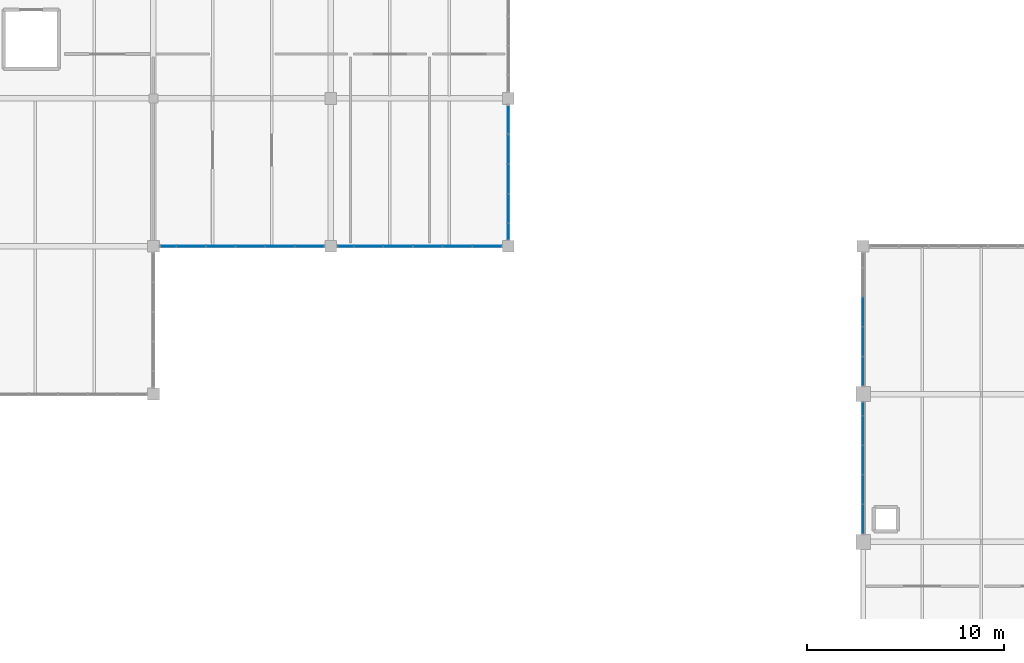
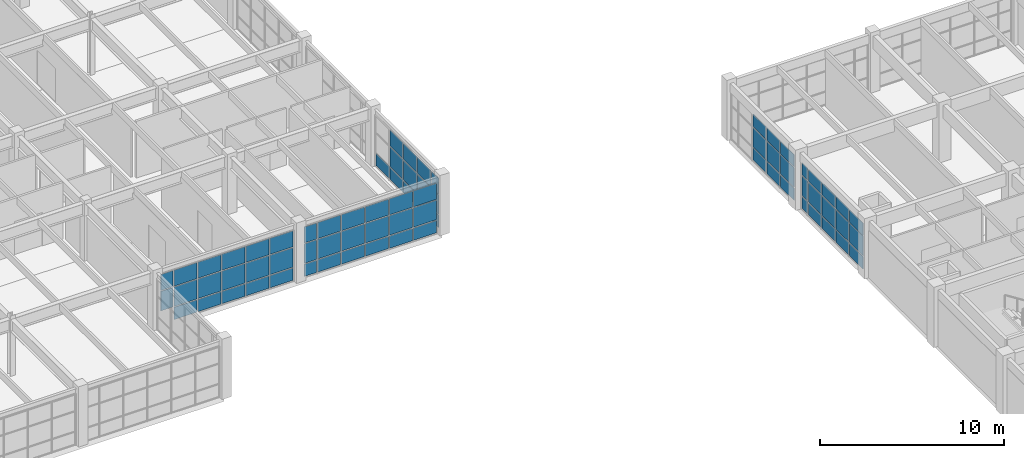
# One storey, part 52 of 76: 72 plates, 5 elements without a shape of their own.
"""IFC4 building model written with IfcOpenShell, lengths in metres."""

from ifc_helpers import new_model, si_unit, direction, frame, origin, origin_2d, place, context, subcontext, project, spatial, rectangle, extrude, material, layer, layer_set, type_object, element, aggregate, save


model = new_model("IFC4")

# Units and contexts
model_context = context("Model", 3, precision=1e-05, world=origin(), true_north=direction((0.0, 1.0)))
body_context = subcontext(model_context, "Body", "Model", "MODEL_VIEW")
ifc_project = project(units=[si_unit("LENGTHUNIT", "METRE"), si_unit("AREAUNIT", "SQUARE_METRE"), si_unit("VOLUMEUNIT", "CUBIC_METRE"), si_unit("PLANEANGLEUNIT", "RADIAN"), si_unit("MASSUNIT", "GRAM", prefix="KILO")], contexts=[model_context])

# Site, building, storey
site_placement = place(None, origin())
site = spatial("IfcSite", under=ifc_project, at=site_placement, CompositionType="ELEMENT")
building_placement = place(site_placement, origin())
building = spatial("IfcBuilding", under=site, at=building_placement, Name="Marnridge Secondary College", CompositionType="ELEMENT")
storey_placement = place(building_placement, frame((0.0, 0.0, 4.5)))
storey = spatial("IfcBuildingStorey", under=building, at=storey_placement, Name="L01", CompositionType="ELEMENT", Elevation=4.5)

# Curtain wall, plates
ifc_material_1 = material(Name="Thermally broken aluminium and low-E glazing", Category="aluminium")
ifc_layer_1 = layer(ifc_material_1, 0.159912109375)
ifc_layer_set_1 = layer_set([ifc_layer_1], Name="CW-MOD-1500")
curtain_wall_type = type_object("IfcCurtainWallType", Name="CW-MOD-1500", PredefinedType="NOTDEFINED", material=ifc_layer_set_1)
curtain_wall_1_placement = place(storey_placement, origin())
curtain_wall_1 = element("IfcCurtainWall", 1, at=curtain_wall_1_placement, inside=storey, type_object=curtain_wall_type, Name="Unitised curtain wall CW-L01-040", PredefinedType="NOTDEFINED")
ifc_material_2 = material(Name="Double-glazed low-E argon unit", Category="glass")
ifc_layer_2 = layer(ifc_material_2, 0.028076171875)
ifc_layer_set_2 = layer_set([ifc_layer_2], Name="CWP-GLZ28")
plate_type = type_object("IfcPlateType", Name="CWP-GLZ28", PredefinedType="CURTAIN_PANEL", material=ifc_layer_set_2)
plate_1_placement = place(storey_placement, frame((54.0, 68.658935546875, 0.06005859375), z_axis=(0.0, 0.0, 1.0), x_axis=(0.0, 1.0, 0.0)))
plate_1 = element("IfcPlate", 2, at=plate_1_placement, type_object=plate_type, Name="CW-L01-040 panel 1.1", PredefinedType="CURTAIN_PANEL", context=body_context, shape_type="SweptSolid", body=[
    extrude(rectangle(XDim=1.43994140625, YDim=0.028076171875, at=origin_2d()), origin(), (0.0, 0.0, 1.0), 0.81005859375),
])
plate_2_placement = place(storey_placement, frame((54.0, 68.658935546875, 0.929931640625), z_axis=(0.0, 0.0, 1.0), x_axis=(0.0, 1.0, 0.0)))
plate_2 = element("IfcPlate", 3, at=plate_2_placement, type_object=plate_type, Name="CW-L01-040 panel 1.2", PredefinedType="CURTAIN_PANEL", context=body_context, shape_type="SweptSolid", body=[
    extrude(rectangle(XDim=1.43994140625, YDim=0.028076171875, at=origin_2d()), origin(), (0.0, 0.0, 1.0), 1.2900390625),
])
plate_3_placement = place(storey_placement, frame((54.0, 68.658935546875, 2.2802734375), z_axis=(0.0, 0.0, 1.0), x_axis=(0.0, 1.0, 0.0)))
plate_3 = element("IfcPlate", 4, at=plate_3_placement, type_object=plate_type, Name="CW-L01-040 panel 1.3", PredefinedType="CURTAIN_PANEL", context=body_context, shape_type="SweptSolid", body=[
    extrude(rectangle(XDim=1.43994140625, YDim=0.028076171875, at=origin_2d()), origin(), (0.0, 0.0, 1.0), 0.806884765625),
])
plate_4_placement = place(storey_placement, frame((54.0, 70.158935546875, 0.06005859375), z_axis=(0.0, 0.0, 1.0), x_axis=(0.0, 1.0, 0.0)))
plate_4 = element("IfcPlate", 5, at=plate_4_placement, type_object=plate_type, Name="CW-L01-040 panel 2.1", PredefinedType="CURTAIN_PANEL", context=body_context, shape_type="SweptSolid", body=[
    extrude(rectangle(XDim=1.43994140625, YDim=0.028076171875, at=origin_2d()), origin(), (0.0, 0.0, 1.0), 0.81005859375),
])
plate_5_placement = place(storey_placement, frame((54.0, 70.158935546875, 0.929931640625), z_axis=(0.0, 0.0, 1.0), x_axis=(0.0, 1.0, 0.0)))
plate_5 = element("IfcPlate", 6, at=plate_5_placement, type_object=plate_type, Name="CW-L01-040 panel 2.2", PredefinedType="CURTAIN_PANEL", context=body_context, shape_type="SweptSolid", body=[
    extrude(rectangle(XDim=1.43994140625, YDim=0.028076171875, at=origin_2d()), origin(), (0.0, 0.0, 1.0), 1.2900390625),
])
plate_6_placement = place(storey_placement, frame((54.0, 70.158935546875, 2.2802734375), z_axis=(0.0, 0.0, 1.0), x_axis=(0.0, 1.0, 0.0)))
plate_6 = element("IfcPlate", 7, at=plate_6_placement, type_object=plate_type, Name="CW-L01-040 panel 2.3", PredefinedType="CURTAIN_PANEL", context=body_context, shape_type="SweptSolid", body=[
    extrude(rectangle(XDim=1.43994140625, YDim=0.028076171875, at=origin_2d()), origin(), (0.0, 0.0, 1.0), 0.806884765625),
])
plate_7_placement = place(storey_placement, frame((54.0, 71.658935546875, 0.06005859375), z_axis=(0.0, 0.0, 1.0), x_axis=(0.0, 1.0, 0.0)))
plate_7 = element("IfcPlate", 8, at=plate_7_placement, type_object=plate_type, Name="CW-L01-040 panel 3.1", PredefinedType="CURTAIN_PANEL", context=body_context, shape_type="SweptSolid", body=[
    extrude(rectangle(XDim=1.43994140625, YDim=0.028076171875, at=origin_2d()), origin(), (0.0, 0.0, 1.0), 0.81005859375),
])
plate_8_placement = place(storey_placement, frame((54.0, 71.658935546875, 0.929931640625), z_axis=(0.0, 0.0, 1.0), x_axis=(0.0, 1.0, 0.0)))
plate_8 = element("IfcPlate", 9, at=plate_8_placement, type_object=plate_type, Name="CW-L01-040 panel 3.2", PredefinedType="CURTAIN_PANEL", context=body_context, shape_type="SweptSolid", body=[
    extrude(rectangle(XDim=1.43994140625, YDim=0.028076171875, at=origin_2d()), origin(), (0.0, 0.0, 1.0), 1.2900390625),
])
plate_9_placement = place(storey_placement, frame((54.0, 71.658935546875, 2.2802734375), z_axis=(0.0, 0.0, 1.0), x_axis=(0.0, 1.0, 0.0)))
plate_9 = element("IfcPlate", 10, at=plate_9_placement, type_object=plate_type, Name="CW-L01-040 panel 3.3", PredefinedType="CURTAIN_PANEL", context=body_context, shape_type="SweptSolid", body=[
    extrude(rectangle(XDim=1.43994140625, YDim=0.028076171875, at=origin_2d()), origin(), (0.0, 0.0, 1.0), 0.806884765625),
])
plate_10_placement = place(storey_placement, frame((54.0, 73.158935546875, 0.06005859375), z_axis=(0.0, 0.0, 1.0), x_axis=(0.0, 1.0, 0.0)))
plate_10 = element("IfcPlate", 11, at=plate_10_placement, type_object=plate_type, Name="CW-L01-040 panel 4.1", PredefinedType="CURTAIN_PANEL", context=body_context, shape_type="SweptSolid", body=[
    extrude(rectangle(XDim=1.43994140625, YDim=0.028076171875, at=origin_2d()), origin(), (0.0, 0.0, 1.0), 0.81005859375),
])
plate_11_placement = place(storey_placement, frame((54.0, 73.158935546875, 0.929931640625), z_axis=(0.0, 0.0, 1.0), x_axis=(0.0, 1.0, 0.0)))
plate_11 = element("IfcPlate", 12, at=plate_11_placement, type_object=plate_type, Name="CW-L01-040 panel 4.2", PredefinedType="CURTAIN_PANEL", context=body_context, shape_type="SweptSolid", body=[
    extrude(rectangle(XDim=1.43994140625, YDim=0.028076171875, at=origin_2d()), origin(), (0.0, 0.0, 1.0), 1.2900390625),
])
plate_12_placement = place(storey_placement, frame((54.0, 73.158935546875, 2.2802734375), z_axis=(0.0, 0.0, 1.0), x_axis=(0.0, 1.0, 0.0)))
plate_12 = element("IfcPlate", 13, at=plate_12_placement, type_object=plate_type, Name="CW-L01-040 panel 4.3", PredefinedType="CURTAIN_PANEL", context=body_context, shape_type="SweptSolid", body=[
    extrude(rectangle(XDim=1.43994140625, YDim=0.028076171875, at=origin_2d()), origin(), (0.0, 0.0, 1.0), 0.806884765625),
])
plate_13_placement = place(storey_placement, frame((54.0, 74.25, 0.06005859375), z_axis=(0.0, 0.0, 1.0), x_axis=(0.0, 1.0, 0.0)))
plate_13 = element("IfcPlate", 14, at=plate_13_placement, type_object=plate_type, Name="CW-L01-040 panel 5.1", PredefinedType="CURTAIN_PANEL", context=body_context, shape_type="SweptSolid", body=[
    extrude(rectangle(XDim=0.6220703125, YDim=0.028076171875, at=origin_2d()), origin(), (0.0, 0.0, 1.0), 0.81005859375),
])
plate_14_placement = place(storey_placement, frame((54.0, 74.25, 0.929931640625), z_axis=(0.0, 0.0, 1.0), x_axis=(0.0, 1.0, 0.0)))
plate_14 = element("IfcPlate", 15, at=plate_14_placement, type_object=plate_type, Name="CW-L01-040 panel 5.2", PredefinedType="CURTAIN_PANEL", context=body_context, shape_type="SweptSolid", body=[
    extrude(rectangle(XDim=0.6220703125, YDim=0.028076171875, at=origin_2d()), origin(), (0.0, 0.0, 1.0), 1.2900390625),
])
plate_15_placement = place(storey_placement, frame((54.0, 74.25, 2.2802734375), z_axis=(0.0, 0.0, 1.0), x_axis=(0.0, 1.0, 0.0)))
plate_15 = element("IfcPlate", 16, at=plate_15_placement, type_object=plate_type, Name="CW-L01-040 panel 5.3", PredefinedType="CURTAIN_PANEL", context=body_context, shape_type="SweptSolid", body=[
    extrude(rectangle(XDim=0.6220703125, YDim=0.028076171875, at=origin_2d()), origin(), (0.0, 0.0, 1.0), 0.806884765625),
])
aggregate(curtain_wall_1, [plate_1, plate_2, plate_3, plate_4, plate_5, plate_6, plate_7, plate_8, plate_9, plate_10, plate_11, plate_12, plate_13, plate_14, plate_15])

curtain_wall_2_placement = place(storey_placement, origin())
curtain_wall_2 = element("IfcCurtainWall", 17, at=curtain_wall_2_placement, inside=storey, type_object=curtain_wall_type, Name="Unitised curtain wall CW-L01-041", PredefinedType="NOTDEFINED")
plate_16_placement = place(storey_placement, frame((54.0, 76.158935546875, 0.06005859375), z_axis=(0.0, 0.0, 1.0), x_axis=(0.0, 1.0, 0.0)))
plate_16 = element("IfcPlate", 18, at=plate_16_placement, type_object=plate_type, Name="CW-L01-041 panel 1.1", PredefinedType="CURTAIN_PANEL", context=body_context, shape_type="SweptSolid", body=[
    extrude(rectangle(XDim=1.43994140625, YDim=0.028076171875, at=origin_2d()), origin(), (0.0, 0.0, 1.0), 0.81005859375),
])
plate_17_placement = place(storey_placement, frame((54.0, 76.158935546875, 0.929931640625), z_axis=(0.0, 0.0, 1.0), x_axis=(0.0, 1.0, 0.0)))
plate_17 = element("IfcPlate", 19, at=plate_17_placement, type_object=plate_type, Name="CW-L01-041 panel 1.2", PredefinedType="CURTAIN_PANEL", context=body_context, shape_type="SweptSolid", body=[
    extrude(rectangle(XDim=1.43994140625, YDim=0.028076171875, at=origin_2d()), origin(), (0.0, 0.0, 1.0), 1.2900390625),
])
plate_18_placement = place(storey_placement, frame((54.0, 76.158935546875, 2.2802734375), z_axis=(0.0, 0.0, 1.0), x_axis=(0.0, 1.0, 0.0)))
plate_18 = element("IfcPlate", 20, at=plate_18_placement, type_object=plate_type, Name="CW-L01-041 panel 1.3", PredefinedType="CURTAIN_PANEL", context=body_context, shape_type="SweptSolid", body=[
    extrude(rectangle(XDim=1.43994140625, YDim=0.028076171875, at=origin_2d()), origin(), (0.0, 0.0, 1.0), 0.806884765625),
])
plate_19_placement = place(storey_placement, frame((54.0, 77.658935546875, 0.06005859375), z_axis=(0.0, 0.0, 1.0), x_axis=(0.0, 1.0, 0.0)))
plate_19 = element("IfcPlate", 21, at=plate_19_placement, type_object=plate_type, Name="CW-L01-041 panel 2.1", PredefinedType="CURTAIN_PANEL", context=body_context, shape_type="SweptSolid", body=[
    extrude(rectangle(XDim=1.43994140625, YDim=0.028076171875, at=origin_2d()), origin(), (0.0, 0.0, 1.0), 0.81005859375),
])
plate_20_placement = place(storey_placement, frame((54.0, 77.658935546875, 0.929931640625), z_axis=(0.0, 0.0, 1.0), x_axis=(0.0, 1.0, 0.0)))
plate_20 = element("IfcPlate", 22, at=plate_20_placement, type_object=plate_type, Name="CW-L01-041 panel 2.2", PredefinedType="CURTAIN_PANEL", context=body_context, shape_type="SweptSolid", body=[
    extrude(rectangle(XDim=1.43994140625, YDim=0.028076171875, at=origin_2d()), origin(), (0.0, 0.0, 1.0), 1.2900390625),
])
plate_21_placement = place(storey_placement, frame((54.0, 77.658935546875, 2.2802734375), z_axis=(0.0, 0.0, 1.0), x_axis=(0.0, 1.0, 0.0)))
plate_21 = element("IfcPlate", 23, at=plate_21_placement, type_object=plate_type, Name="CW-L01-041 panel 2.3", PredefinedType="CURTAIN_PANEL", context=body_context, shape_type="SweptSolid", body=[
    extrude(rectangle(XDim=1.43994140625, YDim=0.028076171875, at=origin_2d()), origin(), (0.0, 0.0, 1.0), 0.806884765625),
])
plate_22_placement = place(storey_placement, frame((54.0, 79.158935546875, 0.06005859375), z_axis=(0.0, 0.0, 1.0), x_axis=(0.0, 1.0, 0.0)))
plate_22 = element("IfcPlate", 24, at=plate_22_placement, type_object=plate_type, Name="CW-L01-041 panel 3.1", PredefinedType="CURTAIN_PANEL", context=body_context, shape_type="SweptSolid", body=[
    extrude(rectangle(XDim=1.43994140625, YDim=0.028076171875, at=origin_2d()), origin(), (0.0, 0.0, 1.0), 0.81005859375),
])
plate_23_placement = place(storey_placement, frame((54.0, 79.158935546875, 0.929931640625), z_axis=(0.0, 0.0, 1.0), x_axis=(0.0, 1.0, 0.0)))
plate_23 = element("IfcPlate", 25, at=plate_23_placement, type_object=plate_type, Name="CW-L01-041 panel 3.2", PredefinedType="CURTAIN_PANEL", context=body_context, shape_type="SweptSolid", body=[
    extrude(rectangle(XDim=1.43994140625, YDim=0.028076171875, at=origin_2d()), origin(), (0.0, 0.0, 1.0), 1.2900390625),
])
plate_24_placement = place(storey_placement, frame((54.0, 79.158935546875, 2.2802734375), z_axis=(0.0, 0.0, 1.0), x_axis=(0.0, 1.0, 0.0)))
plate_24 = element("IfcPlate", 26, at=plate_24_placement, type_object=plate_type, Name="CW-L01-041 panel 3.3", PredefinedType="CURTAIN_PANEL", context=body_context, shape_type="SweptSolid", body=[
    extrude(rectangle(XDim=1.43994140625, YDim=0.028076171875, at=origin_2d()), origin(), (0.0, 0.0, 1.0), 0.806884765625),
])
aggregate(curtain_wall_2, [plate_16, plate_17, plate_18, plate_19, plate_20, plate_21, plate_22, plate_23, plate_24])

curtain_wall_3_placement = place(storey_placement, origin())
curtain_wall_3 = element("IfcCurtainWall", 27, at=curtain_wall_3_placement, inside=storey, type_object=curtain_wall_type, Name="Unitised curtain wall CW-L01-050", PredefinedType="NOTDEFINED")
plate_25_placement = place(storey_placement, frame((36.0, 88.916015625, 0.06005859375), z_axis=(0.0, 0.0, 1.0), x_axis=(0.0, -1.0, 0.0)))
plate_25 = element("IfcPlate", 28, at=plate_25_placement, type_object=plate_type, Name="CW-L01-050 panel 1.1", PredefinedType="CURTAIN_PANEL", context=body_context, shape_type="SweptSolid", body=[
    extrude(rectangle(XDim=1.43994140625, YDim=0.028076171875, at=origin_2d()), origin(), (0.0, 0.0, 1.0), 0.81005859375),
])
plate_26_placement = place(storey_placement, frame((36.0, 87.416015625, 0.06005859375), z_axis=(0.0, 0.0, 1.0), x_axis=(0.0, -1.0, 0.0)))
plate_26 = element("IfcPlate", 29, at=plate_26_placement, type_object=plate_type, Name="CW-L01-050 panel 2.1", PredefinedType="CURTAIN_PANEL", context=body_context, shape_type="SweptSolid", body=[
    extrude(rectangle(XDim=1.43994140625, YDim=0.028076171875, at=origin_2d()), origin(), (0.0, 0.0, 1.0), 0.81005859375),
])
plate_27_placement = place(storey_placement, frame((36.0, 87.416015625, 0.929931640625), z_axis=(0.0, 0.0, 1.0), x_axis=(0.0, -1.0, 0.0)))
plate_27 = element("IfcPlate", 30, at=plate_27_placement, type_object=plate_type, Name="CW-L01-050 panel 2.2", PredefinedType="CURTAIN_PANEL", context=body_context, shape_type="SweptSolid", body=[
    extrude(rectangle(XDim=1.43994140625, YDim=0.028076171875, at=origin_2d()), origin(), (0.0, 0.0, 1.0), 1.2900390625),
])
plate_28_placement = place(storey_placement, frame((36.0, 87.416015625, 2.280029296875), z_axis=(0.0, 0.0, 1.0), x_axis=(0.0, -1.0, 0.0)))
plate_28 = element("IfcPlate", 31, at=plate_28_placement, type_object=plate_type, Name="CW-L01-050 panel 2.3", PredefinedType="CURTAIN_PANEL", context=body_context, shape_type="SweptSolid", body=[
    extrude(rectangle(XDim=1.43994140625, YDim=0.028076171875, at=origin_2d()), origin(), (0.0, 0.0, 1.0), 1.06005859375),
])
plate_29_placement = place(storey_placement, frame((36.0, 85.916015625, 0.06005859375), z_axis=(0.0, 0.0, 1.0), x_axis=(0.0, -1.0, 0.0)))
plate_29 = element("IfcPlate", 32, at=plate_29_placement, type_object=plate_type, Name="CW-L01-050 panel 3.1", PredefinedType="CURTAIN_PANEL", context=body_context, shape_type="SweptSolid", body=[
    extrude(rectangle(XDim=1.43994140625, YDim=0.028076171875, at=origin_2d()), origin(), (0.0, 0.0, 1.0), 0.81005859375),
])
plate_30_placement = place(storey_placement, frame((36.0, 85.916015625, 0.929931640625), z_axis=(0.0, 0.0, 1.0), x_axis=(0.0, -1.0, 0.0)))
plate_30 = element("IfcPlate", 33, at=plate_30_placement, type_object=plate_type, Name="CW-L01-050 panel 3.2", PredefinedType="CURTAIN_PANEL", context=body_context, shape_type="SweptSolid", body=[
    extrude(rectangle(XDim=1.43994140625, YDim=0.028076171875, at=origin_2d()), origin(), (0.0, 0.0, 1.0), 1.2900390625),
])
plate_31_placement = place(storey_placement, frame((36.0, 85.916015625, 2.280029296875), z_axis=(0.0, 0.0, 1.0), x_axis=(0.0, -1.0, 0.0)))
plate_31 = element("IfcPlate", 34, at=plate_31_placement, type_object=plate_type, Name="CW-L01-050 panel 3.3", PredefinedType="CURTAIN_PANEL", context=body_context, shape_type="SweptSolid", body=[
    extrude(rectangle(XDim=1.43994140625, YDim=0.028076171875, at=origin_2d()), origin(), (0.0, 0.0, 1.0), 1.06005859375),
])
plate_32_placement = place(storey_placement, frame((36.0, 84.416015625, 0.06005859375), z_axis=(0.0, 0.0, 1.0), x_axis=(0.0, -1.0, 0.0)))
plate_32 = element("IfcPlate", 35, at=plate_32_placement, type_object=plate_type, Name="CW-L01-050 panel 4.1", PredefinedType="CURTAIN_PANEL", context=body_context, shape_type="SweptSolid", body=[
    extrude(rectangle(XDim=1.43994140625, YDim=0.028076171875, at=origin_2d()), origin(), (0.0, 0.0, 1.0), 0.81005859375),
])
plate_33_placement = place(storey_placement, frame((36.0, 84.416015625, 0.929931640625), z_axis=(0.0, 0.0, 1.0), x_axis=(0.0, -1.0, 0.0)))
plate_33 = element("IfcPlate", 36, at=plate_33_placement, type_object=plate_type, Name="CW-L01-050 panel 4.2", PredefinedType="CURTAIN_PANEL", context=body_context, shape_type="SweptSolid", body=[
    extrude(rectangle(XDim=1.43994140625, YDim=0.028076171875, at=origin_2d()), origin(), (0.0, 0.0, 1.0), 1.2900390625),
])
plate_34_placement = place(storey_placement, frame((36.0, 84.416015625, 2.280029296875), z_axis=(0.0, 0.0, 1.0), x_axis=(0.0, -1.0, 0.0)))
plate_34 = element("IfcPlate", 37, at=plate_34_placement, type_object=plate_type, Name="CW-L01-050 panel 4.3", PredefinedType="CURTAIN_PANEL", context=body_context, shape_type="SweptSolid", body=[
    extrude(rectangle(XDim=1.43994140625, YDim=0.028076171875, at=origin_2d()), origin(), (0.0, 0.0, 1.0), 1.06005859375),
])
plate_35_placement = place(storey_placement, frame((36.0, 83.25, 0.06005859375), z_axis=(0.0, 0.0, 1.0), x_axis=(0.0, -1.0, 0.0)))
plate_35 = element("IfcPlate", 38, at=plate_35_placement, type_object=plate_type, Name="CW-L01-050 panel 5.1", PredefinedType="CURTAIN_PANEL", context=body_context, shape_type="SweptSolid", body=[
    extrude(rectangle(XDim=0.77197265625, YDim=0.028076171875, at=origin_2d()), origin(), (0.0, 0.0, 1.0), 0.81005859375),
])
plate_36_placement = place(storey_placement, frame((36.0, 83.25, 0.929931640625), z_axis=(0.0, 0.0, 1.0), x_axis=(0.0, -1.0, 0.0)))
plate_36 = element("IfcPlate", 39, at=plate_36_placement, type_object=plate_type, Name="CW-L01-050 panel 5.2", PredefinedType="CURTAIN_PANEL", context=body_context, shape_type="SweptSolid", body=[
    extrude(rectangle(XDim=0.77197265625, YDim=0.028076171875, at=origin_2d()), origin(), (0.0, 0.0, 1.0), 1.2900390625),
])
plate_37_placement = place(storey_placement, frame((36.0, 83.25, 2.280029296875), z_axis=(0.0, 0.0, 1.0), x_axis=(0.0, -1.0, 0.0)))
plate_37 = element("IfcPlate", 40, at=plate_37_placement, type_object=plate_type, Name="CW-L01-050 panel 5.3", PredefinedType="CURTAIN_PANEL", context=body_context, shape_type="SweptSolid", body=[
    extrude(rectangle(XDim=0.77197265625, YDim=0.028076171875, at=origin_2d()), origin(), (0.0, 0.0, 1.0), 1.06005859375),
])
aggregate(curtain_wall_3, [plate_25, plate_26, plate_27, plate_28, plate_29, plate_30, plate_31, plate_32, plate_33, plate_34, plate_35, plate_36, plate_37])

curtain_wall_4_placement = place(storey_placement, origin())
curtain_wall_4 = element("IfcCurtainWall", 41, at=curtain_wall_4_placement, inside=storey, type_object=curtain_wall_type, Name="Unitised curtain wall CW-L01-051", PredefinedType="NOTDEFINED")
plate_38_placement = place(storey_placement, frame((34.916015625, 82.5, 0.06005859375), z_axis=(0.0, 0.0, 1.0), x_axis=(-1.0, 0.0, 0.0)))
plate_38 = element("IfcPlate", 42, at=plate_38_placement, type_object=plate_type, Name="CW-L01-051 panel 1.1", PredefinedType="CURTAIN_PANEL", context=body_context, shape_type="SweptSolid", body=[
    extrude(rectangle(XDim=1.43994140625, YDim=0.028076171875, at=origin_2d()), origin(), (0.0, 0.0, 1.0), 0.81005859375),
])
plate_39_placement = place(storey_placement, frame((34.916015625, 82.5, 0.929931640625), z_axis=(0.0, 0.0, 1.0), x_axis=(-1.0, 0.0, 0.0)))
plate_39 = element("IfcPlate", 43, at=plate_39_placement, type_object=plate_type, Name="CW-L01-051 panel 1.2", PredefinedType="CURTAIN_PANEL", context=body_context, shape_type="SweptSolid", body=[
    extrude(rectangle(XDim=1.43994140625, YDim=0.028076171875, at=origin_2d()), origin(), (0.0, 0.0, 1.0), 1.2900390625),
])
plate_40_placement = place(storey_placement, frame((34.916015625, 82.5, 2.280029296875), z_axis=(0.0, 0.0, 1.0), x_axis=(-1.0, 0.0, 0.0)))
plate_40 = element("IfcPlate", 44, at=plate_40_placement, type_object=plate_type, Name="CW-L01-051 panel 1.3", PredefinedType="CURTAIN_PANEL", context=body_context, shape_type="SweptSolid", body=[
    extrude(rectangle(XDim=1.43994140625, YDim=0.028076171875, at=origin_2d()), origin(), (0.0, 0.0, 1.0), 1.06005859375),
])
plate_41_placement = place(storey_placement, frame((33.416015625, 82.5, 0.06005859375), z_axis=(0.0, 0.0, 1.0), x_axis=(-1.0, 0.0, 0.0)))
plate_41 = element("IfcPlate", 45, at=plate_41_placement, type_object=plate_type, Name="CW-L01-051 panel 2.1", PredefinedType="CURTAIN_PANEL", context=body_context, shape_type="SweptSolid", body=[
    extrude(rectangle(XDim=1.43994140625, YDim=0.028076171875, at=origin_2d()), origin(), (0.0, 0.0, 1.0), 0.81005859375),
])
plate_42_placement = place(storey_placement, frame((33.416015625, 82.5, 0.929931640625), z_axis=(0.0, 0.0, 1.0), x_axis=(-1.0, 0.0, 0.0)))
plate_42 = element("IfcPlate", 46, at=plate_42_placement, type_object=plate_type, Name="CW-L01-051 panel 2.2", PredefinedType="CURTAIN_PANEL", context=body_context, shape_type="SweptSolid", body=[
    extrude(rectangle(XDim=1.43994140625, YDim=0.028076171875, at=origin_2d()), origin(), (0.0, 0.0, 1.0), 1.2900390625),
])
plate_43_placement = place(storey_placement, frame((33.416015625, 82.5, 2.280029296875), z_axis=(0.0, 0.0, 1.0), x_axis=(-1.0, 0.0, 0.0)))
plate_43 = element("IfcPlate", 47, at=plate_43_placement, type_object=plate_type, Name="CW-L01-051 panel 2.3", PredefinedType="CURTAIN_PANEL", context=body_context, shape_type="SweptSolid", body=[
    extrude(rectangle(XDim=1.43994140625, YDim=0.028076171875, at=origin_2d()), origin(), (0.0, 0.0, 1.0), 1.06005859375),
])
plate_44_placement = place(storey_placement, frame((31.916015625, 82.5, 0.06005859375), z_axis=(0.0, 0.0, 1.0), x_axis=(-1.0, 0.0, 0.0)))
plate_44 = element("IfcPlate", 48, at=plate_44_placement, type_object=plate_type, Name="CW-L01-051 panel 3.1", PredefinedType="CURTAIN_PANEL", context=body_context, shape_type="SweptSolid", body=[
    extrude(rectangle(XDim=1.43994140625, YDim=0.028076171875, at=origin_2d()), origin(), (0.0, 0.0, 1.0), 0.81005859375),
])
plate_45_placement = place(storey_placement, frame((31.916015625, 82.5, 0.929931640625), z_axis=(0.0, 0.0, 1.0), x_axis=(-1.0, 0.0, 0.0)))
plate_45 = element("IfcPlate", 49, at=plate_45_placement, type_object=plate_type, Name="CW-L01-051 panel 3.2", PredefinedType="CURTAIN_PANEL", context=body_context, shape_type="SweptSolid", body=[
    extrude(rectangle(XDim=1.43994140625, YDim=0.028076171875, at=origin_2d()), origin(), (0.0, 0.0, 1.0), 1.2900390625),
])
plate_46_placement = place(storey_placement, frame((31.916015625, 82.5, 2.280029296875), z_axis=(0.0, 0.0, 1.0), x_axis=(-1.0, 0.0, 0.0)))
plate_46 = element("IfcPlate", 50, at=plate_46_placement, type_object=plate_type, Name="CW-L01-051 panel 3.3", PredefinedType="CURTAIN_PANEL", context=body_context, shape_type="SweptSolid", body=[
    extrude(rectangle(XDim=1.43994140625, YDim=0.028076171875, at=origin_2d()), origin(), (0.0, 0.0, 1.0), 1.06005859375),
])
plate_47_placement = place(storey_placement, frame((30.416015625, 82.5, 0.06005859375), z_axis=(0.0, 0.0, 1.0), x_axis=(-1.0, 0.0, 0.0)))
plate_47 = element("IfcPlate", 51, at=plate_47_placement, type_object=plate_type, Name="CW-L01-051 panel 4.1", PredefinedType="CURTAIN_PANEL", context=body_context, shape_type="SweptSolid", body=[
    extrude(rectangle(XDim=1.43994140625, YDim=0.028076171875, at=origin_2d()), origin(), (0.0, 0.0, 1.0), 0.81005859375),
])
plate_48_placement = place(storey_placement, frame((30.416015625, 82.5, 0.929931640625), z_axis=(0.0, 0.0, 1.0), x_axis=(-1.0, 0.0, 0.0)))
plate_48 = element("IfcPlate", 52, at=plate_48_placement, type_object=plate_type, Name="CW-L01-051 panel 4.2", PredefinedType="CURTAIN_PANEL", context=body_context, shape_type="SweptSolid", body=[
    extrude(rectangle(XDim=1.43994140625, YDim=0.028076171875, at=origin_2d()), origin(), (0.0, 0.0, 1.0), 1.2900390625),
])
plate_49_placement = place(storey_placement, frame((30.416015625, 82.5, 2.280029296875), z_axis=(0.0, 0.0, 1.0), x_axis=(-1.0, 0.0, 0.0)))
plate_49 = element("IfcPlate", 53, at=plate_49_placement, type_object=plate_type, Name="CW-L01-051 panel 4.3", PredefinedType="CURTAIN_PANEL", context=body_context, shape_type="SweptSolid", body=[
    extrude(rectangle(XDim=1.43994140625, YDim=0.028076171875, at=origin_2d()), origin(), (0.0, 0.0, 1.0), 1.06005859375),
])
plate_50_placement = place(storey_placement, frame((28.916015625, 82.5, 0.06005859375), z_axis=(0.0, 0.0, 1.0), x_axis=(-1.0, 0.0, 0.0)))
plate_50 = element("IfcPlate", 54, at=plate_50_placement, type_object=plate_type, Name="CW-L01-051 panel 5.1", PredefinedType="CURTAIN_PANEL", context=body_context, shape_type="SweptSolid", body=[
    extrude(rectangle(XDim=1.43994140625, YDim=0.028076171875, at=origin_2d()), origin(), (0.0, 0.0, 1.0), 0.81005859375),
])
plate_51_placement = place(storey_placement, frame((28.916015625, 82.5, 0.929931640625), z_axis=(0.0, 0.0, 1.0), x_axis=(-1.0, 0.0, 0.0)))
plate_51 = element("IfcPlate", 55, at=plate_51_placement, type_object=plate_type, Name="CW-L01-051 panel 5.2", PredefinedType="CURTAIN_PANEL", context=body_context, shape_type="SweptSolid", body=[
    extrude(rectangle(XDim=1.43994140625, YDim=0.028076171875, at=origin_2d()), origin(), (0.0, 0.0, 1.0), 1.2900390625),
])
plate_52_placement = place(storey_placement, frame((28.916015625, 82.5, 2.280029296875), z_axis=(0.0, 0.0, 1.0), x_axis=(-1.0, 0.0, 0.0)))
plate_52 = element("IfcPlate", 56, at=plate_52_placement, type_object=plate_type, Name="CW-L01-051 panel 5.3", PredefinedType="CURTAIN_PANEL", context=body_context, shape_type="SweptSolid", body=[
    extrude(rectangle(XDim=1.43994140625, YDim=0.028076171875, at=origin_2d()), origin(), (0.0, 0.0, 1.0), 1.06005859375),
])
plate_53_placement = place(storey_placement, frame((27.75, 82.5, 0.06005859375), z_axis=(0.0, 0.0, 1.0), x_axis=(-1.0, 0.0, 0.0)))
plate_53 = element("IfcPlate", 57, at=plate_53_placement, type_object=plate_type, Name="CW-L01-051 panel 6.1", PredefinedType="CURTAIN_PANEL", context=body_context, shape_type="SweptSolid", body=[
    extrude(rectangle(XDim=0.77197265625, YDim=0.028076171875, at=origin_2d()), origin(), (0.0, 0.0, 1.0), 0.81005859375),
])
plate_54_placement = place(storey_placement, frame((27.75, 82.5, 0.929931640625), z_axis=(0.0, 0.0, 1.0), x_axis=(-1.0, 0.0, 0.0)))
plate_54 = element("IfcPlate", 58, at=plate_54_placement, type_object=plate_type, Name="CW-L01-051 panel 6.2", PredefinedType="CURTAIN_PANEL", context=body_context, shape_type="SweptSolid", body=[
    extrude(rectangle(XDim=0.77197265625, YDim=0.028076171875, at=origin_2d()), origin(), (0.0, 0.0, 1.0), 1.2900390625),
])
plate_55_placement = place(storey_placement, frame((27.75, 82.5, 2.280029296875), z_axis=(0.0, 0.0, 1.0), x_axis=(-1.0, 0.0, 0.0)))
plate_55 = element("IfcPlate", 59, at=plate_55_placement, type_object=plate_type, Name="CW-L01-051 panel 6.3", PredefinedType="CURTAIN_PANEL", context=body_context, shape_type="SweptSolid", body=[
    extrude(rectangle(XDim=0.77197265625, YDim=0.028076171875, at=origin_2d()), origin(), (0.0, 0.0, 1.0), 1.06005859375),
])
aggregate(curtain_wall_4, [plate_38, plate_39, plate_40, plate_41, plate_42, plate_43, plate_44, plate_45, plate_46, plate_47, plate_48, plate_49, plate_50, plate_51, plate_52, plate_53, plate_54, plate_55])

curtain_wall_5_placement = place(storey_placement, origin())
curtain_wall_5 = element("IfcCurtainWall", 60, at=curtain_wall_5_placement, inside=storey, type_object=curtain_wall_type, Name="Unitised curtain wall CW-L01-052", PredefinedType="NOTDEFINED")
plate_56_placement = place(storey_placement, frame((25.916015625, 82.5, 0.06005859375), z_axis=(0.0, 0.0, 1.0), x_axis=(-1.0, 0.0, 0.0)))
plate_56 = element("IfcPlate", 61, at=plate_56_placement, type_object=plate_type, Name="CW-L01-052 panel 1.1", PredefinedType="CURTAIN_PANEL", context=body_context, shape_type="SweptSolid", body=[
    extrude(rectangle(XDim=1.43994140625, YDim=0.028076171875, at=origin_2d()), origin(), (0.0, 0.0, 1.0), 0.81005859375),
])
plate_57_placement = place(storey_placement, frame((25.916015625, 82.5, 0.929931640625), z_axis=(0.0, 0.0, 1.0), x_axis=(-1.0, 0.0, 0.0)))
plate_57 = element("IfcPlate", 62, at=plate_57_placement, type_object=plate_type, Name="CW-L01-052 panel 1.2", PredefinedType="CURTAIN_PANEL", context=body_context, shape_type="SweptSolid", body=[
    extrude(rectangle(XDim=1.43994140625, YDim=0.028076171875, at=origin_2d()), origin(), (0.0, 0.0, 1.0), 1.2900390625),
])
plate_58_placement = place(storey_placement, frame((25.916015625, 82.5, 2.280029296875), z_axis=(0.0, 0.0, 1.0), x_axis=(-1.0, 0.0, 0.0)))
plate_58 = element("IfcPlate", 63, at=plate_58_placement, type_object=plate_type, Name="CW-L01-052 panel 1.3", PredefinedType="CURTAIN_PANEL", context=body_context, shape_type="SweptSolid", body=[
    extrude(rectangle(XDim=1.43994140625, YDim=0.028076171875, at=origin_2d()), origin(), (0.0, 0.0, 1.0), 1.06005859375),
])
plate_59_placement = place(storey_placement, frame((24.416015625, 82.5, 0.06005859375), z_axis=(0.0, 0.0, 1.0), x_axis=(-1.0, 0.0, 0.0)))
plate_59 = element("IfcPlate", 64, at=plate_59_placement, type_object=plate_type, Name="CW-L01-052 panel 2.1", PredefinedType="CURTAIN_PANEL", context=body_context, shape_type="SweptSolid", body=[
    extrude(rectangle(XDim=1.43994140625, YDim=0.028076171875, at=origin_2d()), origin(), (0.0, 0.0, 1.0), 0.81005859375),
])
plate_60_placement = place(storey_placement, frame((24.416015625, 82.5, 0.929931640625), z_axis=(0.0, 0.0, 1.0), x_axis=(-1.0, 0.0, 0.0)))
plate_60 = element("IfcPlate", 65, at=plate_60_placement, type_object=plate_type, Name="CW-L01-052 panel 2.2", PredefinedType="CURTAIN_PANEL", context=body_context, shape_type="SweptSolid", body=[
    extrude(rectangle(XDim=1.43994140625, YDim=0.028076171875, at=origin_2d()), origin(), (0.0, 0.0, 1.0), 1.2900390625),
])
plate_61_placement = place(storey_placement, frame((24.416015625, 82.5, 2.280029296875), z_axis=(0.0, 0.0, 1.0), x_axis=(-1.0, 0.0, 0.0)))
plate_61 = element("IfcPlate", 66, at=plate_61_placement, type_object=plate_type, Name="CW-L01-052 panel 2.3", PredefinedType="CURTAIN_PANEL", context=body_context, shape_type="SweptSolid", body=[
    extrude(rectangle(XDim=1.43994140625, YDim=0.028076171875, at=origin_2d()), origin(), (0.0, 0.0, 1.0), 1.06005859375),
])
plate_62_placement = place(storey_placement, frame((22.916015625, 82.5, 0.06005859375), z_axis=(0.0, 0.0, 1.0), x_axis=(-1.0, 0.0, 0.0)))
plate_62 = element("IfcPlate", 67, at=plate_62_placement, type_object=plate_type, Name="CW-L01-052 panel 3.1", PredefinedType="CURTAIN_PANEL", context=body_context, shape_type="SweptSolid", body=[
    extrude(rectangle(XDim=1.43994140625, YDim=0.028076171875, at=origin_2d()), origin(), (0.0, 0.0, 1.0), 0.81005859375),
])
plate_63_placement = place(storey_placement, frame((22.916015625, 82.5, 0.929931640625), z_axis=(0.0, 0.0, 1.0), x_axis=(-1.0, 0.0, 0.0)))
plate_63 = element("IfcPlate", 68, at=plate_63_placement, type_object=plate_type, Name="CW-L01-052 panel 3.2", PredefinedType="CURTAIN_PANEL", context=body_context, shape_type="SweptSolid", body=[
    extrude(rectangle(XDim=1.43994140625, YDim=0.028076171875, at=origin_2d()), origin(), (0.0, 0.0, 1.0), 1.2900390625),
])
plate_64_placement = place(storey_placement, frame((22.916015625, 82.5, 2.280029296875), z_axis=(0.0, 0.0, 1.0), x_axis=(-1.0, 0.0, 0.0)))
plate_64 = element("IfcPlate", 69, at=plate_64_placement, type_object=plate_type, Name="CW-L01-052 panel 3.3", PredefinedType="CURTAIN_PANEL", context=body_context, shape_type="SweptSolid", body=[
    extrude(rectangle(XDim=1.43994140625, YDim=0.028076171875, at=origin_2d()), origin(), (0.0, 0.0, 1.0), 1.06005859375),
])
plate_65_placement = place(storey_placement, frame((21.416015625, 82.5, 0.06005859375), z_axis=(0.0, 0.0, 1.0), x_axis=(-1.0, 0.0, 0.0)))
plate_65 = element("IfcPlate", 70, at=plate_65_placement, type_object=plate_type, Name="CW-L01-052 panel 4.1", PredefinedType="CURTAIN_PANEL", context=body_context, shape_type="SweptSolid", body=[
    extrude(rectangle(XDim=1.43994140625, YDim=0.028076171875, at=origin_2d()), origin(), (0.0, 0.0, 1.0), 0.81005859375),
])
plate_66_placement = place(storey_placement, frame((21.416015625, 82.5, 0.929931640625), z_axis=(0.0, 0.0, 1.0), x_axis=(-1.0, 0.0, 0.0)))
plate_66 = element("IfcPlate", 71, at=plate_66_placement, type_object=plate_type, Name="CW-L01-052 panel 4.2", PredefinedType="CURTAIN_PANEL", context=body_context, shape_type="SweptSolid", body=[
    extrude(rectangle(XDim=1.43994140625, YDim=0.028076171875, at=origin_2d()), origin(), (0.0, 0.0, 1.0), 1.2900390625),
])
plate_67_placement = place(storey_placement, frame((21.416015625, 82.5, 2.280029296875), z_axis=(0.0, 0.0, 1.0), x_axis=(-1.0, 0.0, 0.0)))
plate_67 = element("IfcPlate", 72, at=plate_67_placement, type_object=plate_type, Name="CW-L01-052 panel 4.3", PredefinedType="CURTAIN_PANEL", context=body_context, shape_type="SweptSolid", body=[
    extrude(rectangle(XDim=1.43994140625, YDim=0.028076171875, at=origin_2d()), origin(), (0.0, 0.0, 1.0), 1.06005859375),
])
plate_68_placement = place(storey_placement, frame((19.916015625, 82.5, 0.06005859375), z_axis=(0.0, 0.0, 1.0), x_axis=(-1.0, 0.0, 0.0)))
plate_68 = element("IfcPlate", 73, at=plate_68_placement, type_object=plate_type, Name="CW-L01-052 panel 5.1", PredefinedType="CURTAIN_PANEL", context=body_context, shape_type="SweptSolid", body=[
    extrude(rectangle(XDim=1.43994140625, YDim=0.028076171875, at=origin_2d()), origin(), (0.0, 0.0, 1.0), 0.81005859375),
])
plate_69_placement = place(storey_placement, frame((19.916015625, 82.5, 0.929931640625), z_axis=(0.0, 0.0, 1.0), x_axis=(-1.0, 0.0, 0.0)))
plate_69 = element("IfcPlate", 74, at=plate_69_placement, type_object=plate_type, Name="CW-L01-052 panel 5.2", PredefinedType="CURTAIN_PANEL", context=body_context, shape_type="SweptSolid", body=[
    extrude(rectangle(XDim=1.43994140625, YDim=0.028076171875, at=origin_2d()), origin(), (0.0, 0.0, 1.0), 1.2900390625),
])
plate_70_placement = place(storey_placement, frame((19.916015625, 82.5, 2.280029296875), z_axis=(0.0, 0.0, 1.0), x_axis=(-1.0, 0.0, 0.0)))
plate_70 = element("IfcPlate", 75, at=plate_70_placement, type_object=plate_type, Name="CW-L01-052 panel 5.3", PredefinedType="CURTAIN_PANEL", context=body_context, shape_type="SweptSolid", body=[
    extrude(rectangle(XDim=1.43994140625, YDim=0.028076171875, at=origin_2d()), origin(), (0.0, 0.0, 1.0), 1.06005859375),
])
plate_71_placement = place(storey_placement, frame((18.75, 82.5, 0.929931640625), z_axis=(0.0, 0.0, 1.0), x_axis=(-1.0, 0.0, 0.0)))
plate_71 = element("IfcPlate", 76, at=plate_71_placement, type_object=plate_type, Name="CW-L01-052 panel 6.2", PredefinedType="CURTAIN_PANEL", context=body_context, shape_type="SweptSolid", body=[
    extrude(rectangle(XDim=0.77197265625, YDim=0.028076171875, at=origin_2d()), origin(), (0.0, 0.0, 1.0), 1.2900390625),
])
plate_72_placement = place(storey_placement, frame((18.75, 82.5, 2.280029296875), z_axis=(0.0, 0.0, 1.0), x_axis=(-1.0, 0.0, 0.0)))
plate_72 = element("IfcPlate", 77, at=plate_72_placement, type_object=plate_type, Name="CW-L01-052 panel 6.3", PredefinedType="CURTAIN_PANEL", context=body_context, shape_type="SweptSolid", body=[
    extrude(rectangle(XDim=0.77197265625, YDim=0.028076171875, at=origin_2d()), origin(), (0.0, 0.0, 1.0), 1.06005859375),
])
aggregate(curtain_wall_5, [plate_56, plate_57, plate_58, plate_59, plate_60, plate_61, plate_62, plate_63, plate_64, plate_65, plate_66, plate_67, plate_68, plate_69, plate_70, plate_71, plate_72])

save(model, "model.ifc")
